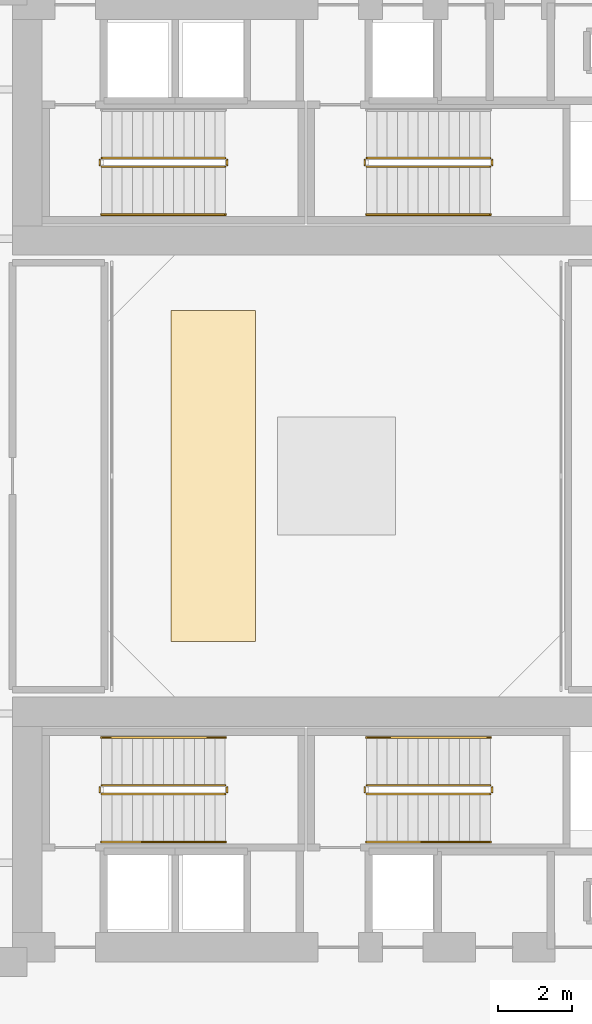
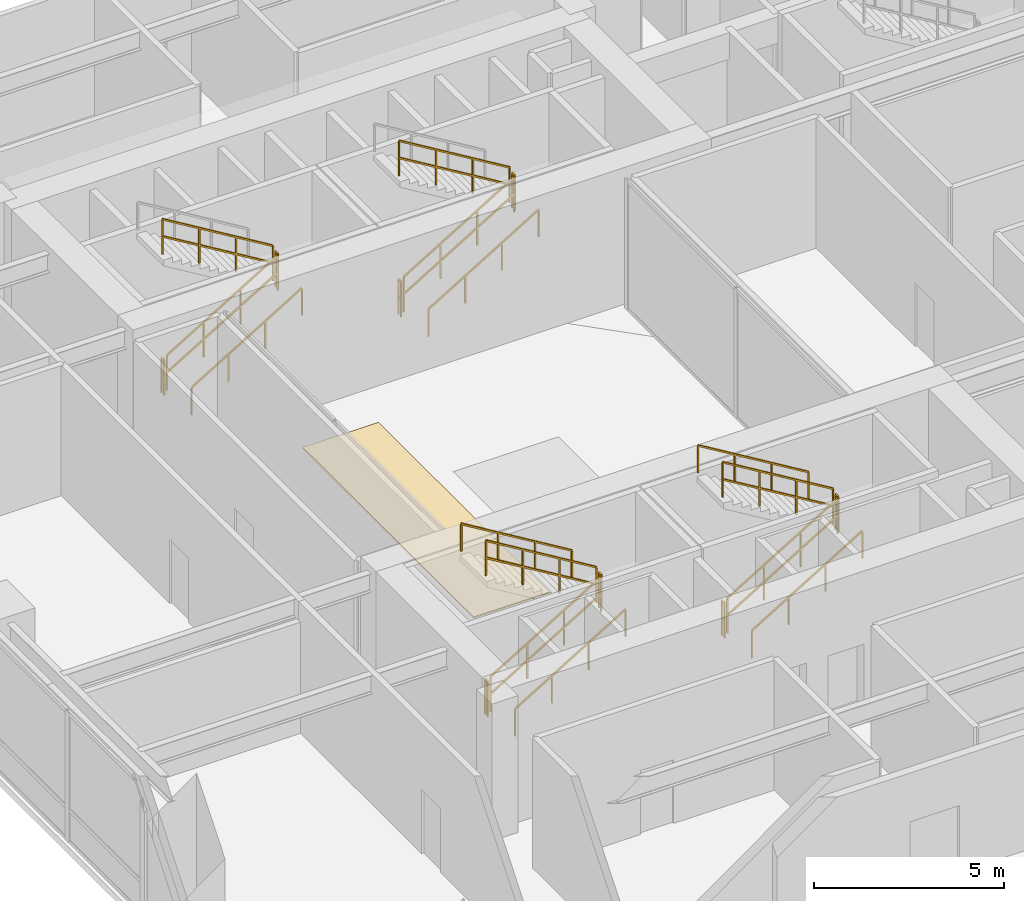
# One storey, part 16 of 19: 22 railings, 1 covering.
"""IFC4 building model written with IfcOpenShell, lengths in metres."""

from ifc_helpers import new_model, si_unit, direction, frame, origin, origin_2d, place, context, subcontext, project, spatial, polyline, rectangle, outline, extrude, material, layer, layer_set, type_object, element, save


model = new_model("IFC4")

# Units and contexts
model_context = context("Model", 3, precision=1e-05, world=origin(), true_north=direction((0.0, 1.0)))
body_context = subcontext(model_context, "Body", "Model", "MODEL_VIEW")
ifc_project = project(units=[si_unit("LENGTHUNIT", "METRE"), si_unit("AREAUNIT", "SQUARE_METRE"), si_unit("VOLUMEUNIT", "CUBIC_METRE"), si_unit("PLANEANGLEUNIT", "RADIAN"), si_unit("MASSUNIT", "GRAM", prefix="KILO"), si_unit("THERMODYNAMICTEMPERATUREUNIT", "KELVIN"), si_unit("POWERUNIT", "WATT")], contexts=[model_context])

# Site, building, storey
site_placement = place(None, origin())
site = spatial("IfcSite", under=ifc_project, at=site_placement, CompositionType="ELEMENT")
building_placement = place(site_placement, origin())
building = spatial("IfcBuilding", under=site, at=building_placement, Name="Qiaomeng Ring Towers", CompositionType="ELEMENT")
storey_placement = place(building_placement, frame((0.0, 0.0, 5.0)))
storey = spatial("IfcBuildingStorey", under=building, at=storey_placement, Name="L01", CompositionType="ELEMENT", Elevation=5.0)

# Covering
ifc_material_1 = material(Name="EPDM waterproofing membrane and XPS insulation", Category="membrane")
ifc_layer = layer(ifc_material_1, 0.0400390625, Name="EPDM waterproofing membrane and XPS insulation")
ifc_layer_set = layer_set([ifc_layer], Name="EPDM waterproofing membrane and XPS insulation")
covering_type = type_object("IfcCoveringType", Name="ARC-COV-ROOF", PredefinedType="ROOFING", material=ifc_layer_set)
covering_placement = place(storey_placement, origin())
element("IfcCovering", 1, at=covering_placement, inside=storey, type_object=covering_type, Name="Atrium T1 Roof Membrane", PredefinedType="ROOFING", context=body_context, shape_type="SweptSolid", body=[
    extrude(outline(polyline([(14.5, 18.5), (16.800048828125, 18.5), (16.800048828125, 27.5), (14.5, 27.5), (14.5, 18.5)])), origin(), (0.0, 0.0, 1.0), 0.0400390625),
])

# Railings
ifc_material_2 = material(Name="Galvanised steel", Category="steel")
railing_type_1 = type_object("IfcRailingType", Name="ARC-RL-GUARD", PredefinedType="GUARDRAIL", material=ifc_material_2)
railing_1_placement = place(storey_placement, frame((12.6201171875, 31.39990234375, 0.169189453125)))
element("IfcRailing", 2, at=railing_1_placement, inside=storey, type_object=railing_type_1, Name="L01 ST1 stair guard 1", PredefinedType="GUARDRAIL", context=body_context, shape_type="SweptSolid", body=[
    extrude(rectangle(XDim=0.048095703125, YDim=0.048095703125, at=origin_2d()), frame((0.0, 0.0, 1.1259765625), z_axis=(0.855820338506, 0.0, 0.51727318527), x_axis=(0.0, 1.0, 0.0)), (0.0, 0.0, 1.0), 3.92578125),
    extrude(rectangle(XDim=0.048095703125, YDim=0.048095703125, at=origin_2d()), frame((0.0, 0.0, 0.574951171875), z_axis=(0.855820338506, 0.0, 0.51727318527), x_axis=(0.0, 1.0, 0.0)), (0.0, 0.0, 1.0), 3.92578125),
    extrude(rectangle(XDim=0.0419921875, YDim=0.0419921875, at=origin_2d()), origin(), (0.0, 0.0, 1.0), 1.101806640625),
    extrude(rectangle(XDim=0.0419921875, YDim=0.0419921875, at=origin_2d()), frame((1.119873046875, 0.0, 0.677001953125)), (0.0, 0.0, 1.0), 1.101806640625),
    extrude(rectangle(XDim=0.0419921875, YDim=0.0419921875, at=origin_2d()), frame((2.239990234375, 0.0, 1.353759765625)), (0.0, 0.0, 1.0), 1.101806640625),
    extrude(rectangle(XDim=0.0419921875, YDim=0.0419921875, at=origin_2d()), frame((3.35986328125, 0.0, 2.03076171875)), (0.0, 0.0, 1.0), 1.101806640625),
])
railing_2_placement = place(storey_placement, frame((16.030029296875, 31.449951171875, 2.199951171875)))
element("IfcRailing", 3, at=railing_2_placement, inside=storey, type_object=railing_type_1, Name="L01 ST1 stair guard 2", PredefinedType="GUARDRAIL", context=body_context, shape_type="SweptSolid", body=[
    extrude(rectangle(XDim=0.048095703125, YDim=0.048095703125, at=origin_2d()), frame((0.0, 0.0, 1.1259765625), z_axis=(0.0, 1.0, 0.0), x_axis=(-1.0, 0.0, 0.0)), (0.0, 0.0, 1.0), 0.14013671875),
    extrude(rectangle(XDim=0.048095703125, YDim=0.048095703125, at=origin_2d()), frame((0.0, 0.0, 0.574951171875), z_axis=(0.0, 1.0, 0.0), x_axis=(-1.0, 0.0, 0.0)), (0.0, 0.0, 1.0), 0.14013671875),
    extrude(rectangle(XDim=0.0419921875, YDim=0.0419921875, at=origin_2d()), origin(), (0.0, 0.0, 1.0), 1.101806640625),
    extrude(rectangle(XDim=0.0419921875, YDim=0.0419921875, at=origin_2d()), frame((0.0, 0.14013671875, 0.0)), (0.0, 0.0, 1.0), 1.101806640625),
])
railing_3_placement = place(storey_placement, frame((15.97998046875, 31.639892578125, 2.369140625)))
element("IfcRailing", 4, at=railing_3_placement, inside=storey, type_object=railing_type_1, Name="L01 ST1 stair guard 3", PredefinedType="GUARDRAIL", context=body_context, shape_type="SweptSolid", body=[
    extrude(rectangle(XDim=0.048095703125, YDim=0.048095703125, at=origin_2d()), frame((0.0, 0.0, 1.1259765625), z_axis=(-0.855820338506, 0.0, 0.51727318527), x_axis=(0.0, -1.0, 0.0)), (0.0, 0.0, 1.0), 3.92578125),
    extrude(rectangle(XDim=0.048095703125, YDim=0.048095703125, at=origin_2d()), frame((0.0, 0.0, 0.574951171875), z_axis=(-0.855820338506, 0.0, 0.51727318527), x_axis=(0.0, -1.0, 0.0)), (0.0, 0.0, 1.0), 3.92578125),
    extrude(rectangle(XDim=0.0419921875, YDim=0.0419921875, at=origin_2d()), origin(), (0.0, 0.0, 1.0), 1.101806640625),
    extrude(rectangle(XDim=0.0419921875, YDim=0.0419921875, at=origin_2d()), frame((-1.119873046875, 0.0, 0.677001953125)), (0.0, 0.0, 1.0), 1.101806640625),
    extrude(rectangle(XDim=0.0419921875, YDim=0.0419921875, at=origin_2d()), frame((-2.239990234375, 0.0, 1.353759765625)), (0.0, 0.0, 1.0), 1.101806640625),
    extrude(rectangle(XDim=0.0419921875, YDim=0.0419921875, at=origin_2d()), frame((-3.35986328125, 0.0, 2.03076171875)), (0.0, 0.0, 1.0), 1.101806640625),
])
railing_4_placement = place(storey_placement, frame((12.570068359375, 31.449951171875, 0.0)))
element("IfcRailing", 5, at=railing_4_placement, inside=storey, type_object=railing_type_1, Name="L01 ST1 stair guard 4", PredefinedType="GUARDRAIL", context=body_context, shape_type="SweptSolid", body=[
    extrude(rectangle(XDim=0.048095703125, YDim=0.048095703125, at=origin_2d()), frame((0.0, 0.0, 1.1259765625), z_axis=(0.0, 1.0, 0.0), x_axis=(-1.0, 0.0, 0.0)), (0.0, 0.0, 1.0), 0.14013671875),
    extrude(rectangle(XDim=0.048095703125, YDim=0.048095703125, at=origin_2d()), frame((0.0, 0.0, 0.574951171875), z_axis=(0.0, 1.0, 0.0), x_axis=(-1.0, 0.0, 0.0)), (0.0, 0.0, 1.0), 0.14013671875),
    extrude(rectangle(XDim=0.0419921875, YDim=0.0419921875, at=origin_2d()), origin(), (0.0, 0.0, 1.0), 1.101806640625),
    extrude(rectangle(XDim=0.0419921875, YDim=0.0419921875, at=origin_2d()), frame((0.0, 0.14013671875, 0.0)), (0.0, 0.0, 1.0), 1.101806640625),
])
railing_5_placement = place(storey_placement, frame((19.820068359375, 31.39990234375, 0.169189453125)))
element("IfcRailing", 6, at=railing_5_placement, inside=storey, type_object=railing_type_1, Name="L01 ST2 stair guard 1", PredefinedType="GUARDRAIL", context=body_context, shape_type="SweptSolid", body=[
    extrude(rectangle(XDim=0.048095703125, YDim=0.048095703125, at=origin_2d()), frame((0.0, 0.0, 1.1259765625), z_axis=(0.855820338506, 0.0, 0.51727318527), x_axis=(0.0, 1.0, 0.0)), (0.0, 0.0, 1.0), 3.92578125),
    extrude(rectangle(XDim=0.048095703125, YDim=0.048095703125, at=origin_2d()), frame((0.0, 0.0, 0.574951171875), z_axis=(0.855820338506, 0.0, 0.51727318527), x_axis=(0.0, 1.0, 0.0)), (0.0, 0.0, 1.0), 3.92578125),
    extrude(rectangle(XDim=0.0419921875, YDim=0.0419921875, at=origin_2d()), origin(), (0.0, 0.0, 1.0), 1.101806640625),
    extrude(rectangle(XDim=0.0419921875, YDim=0.0419921875, at=origin_2d()), frame((1.119873046875, 0.0, 0.677001953125)), (0.0, 0.0, 1.0), 1.101806640625),
    extrude(rectangle(XDim=0.0419921875, YDim=0.0419921875, at=origin_2d()), frame((2.239990234375, 0.0, 1.353759765625)), (0.0, 0.0, 1.0), 1.101806640625),
    extrude(rectangle(XDim=0.0419921875, YDim=0.0419921875, at=origin_2d()), frame((3.35986328125, 0.0, 2.03076171875)), (0.0, 0.0, 1.0), 1.101806640625),
])
railing_6_placement = place(storey_placement, frame((23.22998046875, 31.449951171875, 2.199951171875)))
element("IfcRailing", 7, at=railing_6_placement, inside=storey, type_object=railing_type_1, Name="L01 ST2 stair guard 2", PredefinedType="GUARDRAIL", context=body_context, shape_type="SweptSolid", body=[
    extrude(rectangle(XDim=0.048095703125, YDim=0.048095703125, at=origin_2d()), frame((0.0, 0.0, 1.1259765625), z_axis=(0.0, 1.0, 0.0), x_axis=(-1.0, 0.0, 0.0)), (0.0, 0.0, 1.0), 0.14013671875),
    extrude(rectangle(XDim=0.048095703125, YDim=0.048095703125, at=origin_2d()), frame((0.0, 0.0, 0.574951171875), z_axis=(0.0, 1.0, 0.0), x_axis=(-1.0, 0.0, 0.0)), (0.0, 0.0, 1.0), 0.14013671875),
    extrude(rectangle(XDim=0.0419921875, YDim=0.0419921875, at=origin_2d()), origin(), (0.0, 0.0, 1.0), 1.101806640625),
    extrude(rectangle(XDim=0.0419921875, YDim=0.0419921875, at=origin_2d()), frame((0.0, 0.14013671875, 0.0)), (0.0, 0.0, 1.0), 1.101806640625),
])
railing_7_placement = place(storey_placement, frame((23.179931640625, 31.639892578125, 2.369140625)))
element("IfcRailing", 8, at=railing_7_placement, inside=storey, type_object=railing_type_1, Name="L01 ST2 stair guard 3", PredefinedType="GUARDRAIL", context=body_context, shape_type="SweptSolid", body=[
    extrude(rectangle(XDim=0.048095703125, YDim=0.048095703125, at=origin_2d()), frame((0.0, 0.0, 1.1259765625), z_axis=(-0.855820338506, 0.0, 0.51727318527), x_axis=(0.0, -1.0, 0.0)), (0.0, 0.0, 1.0), 3.92578125),
    extrude(rectangle(XDim=0.048095703125, YDim=0.048095703125, at=origin_2d()), frame((0.0, 0.0, 0.574951171875), z_axis=(-0.855820338506, 0.0, 0.51727318527), x_axis=(0.0, -1.0, 0.0)), (0.0, 0.0, 1.0), 3.92578125),
    extrude(rectangle(XDim=0.0419921875, YDim=0.0419921875, at=origin_2d()), origin(), (0.0, 0.0, 1.0), 1.101806640625),
    extrude(rectangle(XDim=0.0419921875, YDim=0.0419921875, at=origin_2d()), frame((-1.119873046875, 0.0, 0.677001953125)), (0.0, 0.0, 1.0), 1.101806640625),
    extrude(rectangle(XDim=0.0419921875, YDim=0.0419921875, at=origin_2d()), frame((-2.239990234375, 0.0, 1.353759765625)), (0.0, 0.0, 1.0), 1.101806640625),
    extrude(rectangle(XDim=0.0419921875, YDim=0.0419921875, at=origin_2d()), frame((-3.35986328125, 0.0, 2.03076171875)), (0.0, 0.0, 1.0), 1.101806640625),
])
railing_8_placement = place(storey_placement, frame((19.77001953125, 31.449951171875, 0.0)))
element("IfcRailing", 9, at=railing_8_placement, inside=storey, type_object=railing_type_1, Name="L01 ST2 stair guard 4", PredefinedType="GUARDRAIL", context=body_context, shape_type="SweptSolid", body=[
    extrude(rectangle(XDim=0.048095703125, YDim=0.048095703125, at=origin_2d()), frame((0.0, 0.0, 1.1259765625), z_axis=(0.0, 1.0, 0.0), x_axis=(-1.0, 0.0, 0.0)), (0.0, 0.0, 1.0), 0.14013671875),
    extrude(rectangle(XDim=0.048095703125, YDim=0.048095703125, at=origin_2d()), frame((0.0, 0.0, 0.574951171875), z_axis=(0.0, 1.0, 0.0), x_axis=(-1.0, 0.0, 0.0)), (0.0, 0.0, 1.0), 0.14013671875),
    extrude(rectangle(XDim=0.0419921875, YDim=0.0419921875, at=origin_2d()), origin(), (0.0, 0.0, 1.0), 1.101806640625),
    extrude(rectangle(XDim=0.0419921875, YDim=0.0419921875, at=origin_2d()), frame((0.0, 0.14013671875, 0.0)), (0.0, 0.0, 1.0), 1.101806640625),
])
railing_9_placement = place(storey_placement, frame((12.6201171875, 14.360107421875, 0.169189453125)))
element("IfcRailing", 10, at=railing_9_placement, inside=storey, type_object=railing_type_1, Name="L01 ST3 stair guard 1", PredefinedType="GUARDRAIL", context=body_context, shape_type="SweptSolid", body=[
    extrude(rectangle(XDim=0.048095703125, YDim=0.048095703125, at=origin_2d()), frame((0.0, 0.0, 1.1259765625), z_axis=(0.855820338506, 0.0, 0.51727318527), x_axis=(0.0, 1.0, 0.0)), (0.0, 0.0, 1.0), 3.92578125),
    extrude(rectangle(XDim=0.048095703125, YDim=0.048095703125, at=origin_2d()), frame((0.0, 0.0, 0.574951171875), z_axis=(0.855820338506, 0.0, 0.51727318527), x_axis=(0.0, 1.0, 0.0)), (0.0, 0.0, 1.0), 3.92578125),
    extrude(rectangle(XDim=0.0419921875, YDim=0.0419921875, at=origin_2d()), origin(), (0.0, 0.0, 1.0), 1.101806640625),
    extrude(rectangle(XDim=0.0419921875, YDim=0.0419921875, at=origin_2d()), frame((1.119873046875, 0.0, 0.677001953125)), (0.0, 0.0, 1.0), 1.101806640625),
    extrude(rectangle(XDim=0.0419921875, YDim=0.0419921875, at=origin_2d()), frame((2.239990234375, 0.0, 1.353759765625)), (0.0, 0.0, 1.0), 1.101806640625),
    extrude(rectangle(XDim=0.0419921875, YDim=0.0419921875, at=origin_2d()), frame((3.35986328125, 0.0, 2.03076171875)), (0.0, 0.0, 1.0), 1.101806640625),
])
railing_10_placement = place(storey_placement, frame((16.030029296875, 14.409912109375, 2.199951171875)))
element("IfcRailing", 11, at=railing_10_placement, inside=storey, type_object=railing_type_1, Name="L01 ST3 stair guard 2", PredefinedType="GUARDRAIL", context=body_context, shape_type="SweptSolid", body=[
    extrude(rectangle(XDim=0.048095703125, YDim=0.048095703125, at=origin_2d()), frame((0.0, 0.0, 1.1259765625), z_axis=(0.0, 1.0, 0.0), x_axis=(-1.0, 0.0, 0.0)), (0.0, 0.0, 1.0), 0.14013671875),
    extrude(rectangle(XDim=0.048095703125, YDim=0.048095703125, at=origin_2d()), frame((0.0, 0.0, 0.574951171875), z_axis=(0.0, 1.0, 0.0), x_axis=(-1.0, 0.0, 0.0)), (0.0, 0.0, 1.0), 0.14013671875),
    extrude(rectangle(XDim=0.0419921875, YDim=0.0419921875, at=origin_2d()), origin(), (0.0, 0.0, 1.0), 1.101806640625),
    extrude(rectangle(XDim=0.0419921875, YDim=0.0419921875, at=origin_2d()), frame((0.0, 0.14013671875, 0.0)), (0.0, 0.0, 1.0), 1.101806640625),
])
railing_11_placement = place(storey_placement, frame((15.97998046875, 14.60009765625, 2.369140625)))
element("IfcRailing", 12, at=railing_11_placement, inside=storey, type_object=railing_type_1, Name="L01 ST3 stair guard 3", PredefinedType="GUARDRAIL", context=body_context, shape_type="SweptSolid", body=[
    extrude(rectangle(XDim=0.048095703125, YDim=0.048095703125, at=origin_2d()), frame((0.0, 0.0, 1.1259765625), z_axis=(-0.855820338506, 0.0, 0.51727318527), x_axis=(0.0, -1.0, 0.0)), (0.0, 0.0, 1.0), 3.92578125),
    extrude(rectangle(XDim=0.048095703125, YDim=0.048095703125, at=origin_2d()), frame((0.0, 0.0, 0.574951171875), z_axis=(-0.855820338506, 0.0, 0.51727318527), x_axis=(0.0, -1.0, 0.0)), (0.0, 0.0, 1.0), 3.92578125),
    extrude(rectangle(XDim=0.0419921875, YDim=0.0419921875, at=origin_2d()), origin(), (0.0, 0.0, 1.0), 1.101806640625),
    extrude(rectangle(XDim=0.0419921875, YDim=0.0419921875, at=origin_2d()), frame((-1.119873046875, 0.0, 0.677001953125)), (0.0, 0.0, 1.0), 1.101806640625),
    extrude(rectangle(XDim=0.0419921875, YDim=0.0419921875, at=origin_2d()), frame((-2.239990234375, 0.0, 1.353759765625)), (0.0, 0.0, 1.0), 1.101806640625),
    extrude(rectangle(XDim=0.0419921875, YDim=0.0419921875, at=origin_2d()), frame((-3.35986328125, 0.0, 2.03076171875)), (0.0, 0.0, 1.0), 1.101806640625),
])
railing_12_placement = place(storey_placement, frame((12.570068359375, 14.409912109375, 0.0)))
element("IfcRailing", 13, at=railing_12_placement, inside=storey, type_object=railing_type_1, Name="L01 ST3 stair guard 4", PredefinedType="GUARDRAIL", context=body_context, shape_type="SweptSolid", body=[
    extrude(rectangle(XDim=0.048095703125, YDim=0.048095703125, at=origin_2d()), frame((0.0, 0.0, 1.1259765625), z_axis=(0.0, 1.0, 0.0), x_axis=(-1.0, 0.0, 0.0)), (0.0, 0.0, 1.0), 0.14013671875),
    extrude(rectangle(XDim=0.048095703125, YDim=0.048095703125, at=origin_2d()), frame((0.0, 0.0, 0.574951171875), z_axis=(0.0, 1.0, 0.0), x_axis=(-1.0, 0.0, 0.0)), (0.0, 0.0, 1.0), 0.14013671875),
    extrude(rectangle(XDim=0.0419921875, YDim=0.0419921875, at=origin_2d()), origin(), (0.0, 0.0, 1.0), 1.101806640625),
    extrude(rectangle(XDim=0.0419921875, YDim=0.0419921875, at=origin_2d()), frame((0.0, 0.14013671875, 0.0)), (0.0, 0.0, 1.0), 1.101806640625),
])
railing_13_placement = place(storey_placement, frame((19.820068359375, 14.360107421875, 0.169189453125)))
element("IfcRailing", 14, at=railing_13_placement, inside=storey, type_object=railing_type_1, Name="L01 ST4 stair guard 1", PredefinedType="GUARDRAIL", context=body_context, shape_type="SweptSolid", body=[
    extrude(rectangle(XDim=0.048095703125, YDim=0.048095703125, at=origin_2d()), frame((0.0, 0.0, 1.1259765625), z_axis=(0.855820338506, 0.0, 0.51727318527), x_axis=(0.0, 1.0, 0.0)), (0.0, 0.0, 1.0), 3.92578125),
    extrude(rectangle(XDim=0.048095703125, YDim=0.048095703125, at=origin_2d()), frame((0.0, 0.0, 0.574951171875), z_axis=(0.855820338506, 0.0, 0.51727318527), x_axis=(0.0, 1.0, 0.0)), (0.0, 0.0, 1.0), 3.92578125),
    extrude(rectangle(XDim=0.0419921875, YDim=0.0419921875, at=origin_2d()), origin(), (0.0, 0.0, 1.0), 1.101806640625),
    extrude(rectangle(XDim=0.0419921875, YDim=0.0419921875, at=origin_2d()), frame((1.119873046875, 0.0, 0.677001953125)), (0.0, 0.0, 1.0), 1.101806640625),
    extrude(rectangle(XDim=0.0419921875, YDim=0.0419921875, at=origin_2d()), frame((2.239990234375, 0.0, 1.353759765625)), (0.0, 0.0, 1.0), 1.101806640625),
    extrude(rectangle(XDim=0.0419921875, YDim=0.0419921875, at=origin_2d()), frame((3.35986328125, 0.0, 2.03076171875)), (0.0, 0.0, 1.0), 1.101806640625),
])
railing_14_placement = place(storey_placement, frame((23.22998046875, 14.409912109375, 2.199951171875)))
element("IfcRailing", 15, at=railing_14_placement, inside=storey, type_object=railing_type_1, Name="L01 ST4 stair guard 2", PredefinedType="GUARDRAIL", context=body_context, shape_type="SweptSolid", body=[
    extrude(rectangle(XDim=0.048095703125, YDim=0.048095703125, at=origin_2d()), frame((0.0, 0.0, 1.1259765625), z_axis=(0.0, 1.0, 0.0), x_axis=(-1.0, 0.0, 0.0)), (0.0, 0.0, 1.0), 0.14013671875),
    extrude(rectangle(XDim=0.048095703125, YDim=0.048095703125, at=origin_2d()), frame((0.0, 0.0, 0.574951171875), z_axis=(0.0, 1.0, 0.0), x_axis=(-1.0, 0.0, 0.0)), (0.0, 0.0, 1.0), 0.14013671875),
    extrude(rectangle(XDim=0.0419921875, YDim=0.0419921875, at=origin_2d()), origin(), (0.0, 0.0, 1.0), 1.101806640625),
    extrude(rectangle(XDim=0.0419921875, YDim=0.0419921875, at=origin_2d()), frame((0.0, 0.14013671875, 0.0)), (0.0, 0.0, 1.0), 1.101806640625),
])
railing_15_placement = place(storey_placement, frame((23.179931640625, 14.60009765625, 2.369140625)))
element("IfcRailing", 16, at=railing_15_placement, inside=storey, type_object=railing_type_1, Name="L01 ST4 stair guard 3", PredefinedType="GUARDRAIL", context=body_context, shape_type="SweptSolid", body=[
    extrude(rectangle(XDim=0.048095703125, YDim=0.048095703125, at=origin_2d()), frame((0.0, 0.0, 1.1259765625), z_axis=(-0.855820338506, 0.0, 0.51727318527), x_axis=(0.0, -1.0, 0.0)), (0.0, 0.0, 1.0), 3.92578125),
    extrude(rectangle(XDim=0.048095703125, YDim=0.048095703125, at=origin_2d()), frame((0.0, 0.0, 0.574951171875), z_axis=(-0.855820338506, 0.0, 0.51727318527), x_axis=(0.0, -1.0, 0.0)), (0.0, 0.0, 1.0), 3.92578125),
    extrude(rectangle(XDim=0.0419921875, YDim=0.0419921875, at=origin_2d()), origin(), (0.0, 0.0, 1.0), 1.101806640625),
    extrude(rectangle(XDim=0.0419921875, YDim=0.0419921875, at=origin_2d()), frame((-1.119873046875, 0.0, 0.677001953125)), (0.0, 0.0, 1.0), 1.101806640625),
    extrude(rectangle(XDim=0.0419921875, YDim=0.0419921875, at=origin_2d()), frame((-2.239990234375, 0.0, 1.353759765625)), (0.0, 0.0, 1.0), 1.101806640625),
    extrude(rectangle(XDim=0.0419921875, YDim=0.0419921875, at=origin_2d()), frame((-3.35986328125, 0.0, 2.03076171875)), (0.0, 0.0, 1.0), 1.101806640625),
])
railing_16_placement = place(storey_placement, frame((19.77001953125, 14.409912109375, 0.0)))
element("IfcRailing", 17, at=railing_16_placement, inside=storey, type_object=railing_type_1, Name="L01 ST4 stair guard 4", PredefinedType="GUARDRAIL", context=body_context, shape_type="SweptSolid", body=[
    extrude(rectangle(XDim=0.048095703125, YDim=0.048095703125, at=origin_2d()), frame((0.0, 0.0, 1.1259765625), z_axis=(0.0, 1.0, 0.0), x_axis=(-1.0, 0.0, 0.0)), (0.0, 0.0, 1.0), 0.14013671875),
    extrude(rectangle(XDim=0.048095703125, YDim=0.048095703125, at=origin_2d()), frame((0.0, 0.0, 0.574951171875), z_axis=(0.0, 1.0, 0.0), x_axis=(-1.0, 0.0, 0.0)), (0.0, 0.0, 1.0), 0.14013671875),
    extrude(rectangle(XDim=0.0419921875, YDim=0.0419921875, at=origin_2d()), origin(), (0.0, 0.0, 1.0), 1.101806640625),
    extrude(rectangle(XDim=0.0419921875, YDim=0.0419921875, at=origin_2d()), frame((0.0, 0.14013671875, 0.0)), (0.0, 0.0, 1.0), 1.101806640625),
])
ifc_material_3 = material(Name="Stainless steel 316", Category="steel")
railing_type_2 = type_object("IfcRailingType", Name="ARC-RL-HAND", PredefinedType="HANDRAIL", material=ifc_material_3)
for number, where, name in (
    (18, (12.6201171875, 30.10009765625, 0.169189453125), "L01 ST1 stair handrail 1"),
    (19, (19.820068359375, 30.10009765625, 0.169189453125), "L01 ST2 stair handrail 1"),
    (20, (12.6201171875, 13.06005859375, 0.169189453125), "L01 ST3 stair handrail 1"),
):
    element("IfcRailing", number, at=place(storey_placement, frame(where)), inside=storey, type_object=railing_type_2, Name=name, PredefinedType="HANDRAIL", context=body_context, shape_type="SweptSolid", body=[
        extrude(rectangle(XDim=0.048095703125, YDim=0.048095703125, at=origin_2d()), frame((0.0, 0.0, 0.8759765625), z_axis=(0.855820338506, 0.0, 0.51727318527), x_axis=(0.0, 1.0, 0.0)), (0.0, 0.0, 1.0), 3.92578125),
        extrude(rectangle(XDim=0.0419921875, YDim=0.0419921875, at=origin_2d()), origin(), (0.0, 0.0, 1.0), 0.851806640625),
        extrude(rectangle(XDim=0.0419921875, YDim=0.0419921875, at=origin_2d()), frame((1.119873046875, 0.0, 0.677001953125)), (0.0, 0.0, 1.0), 0.851806640625),
        extrude(rectangle(XDim=0.0419921875, YDim=0.0419921875, at=origin_2d()), frame((2.239990234375, 0.0, 1.353759765625)), (0.0, 0.0, 1.0), 0.851806640625),
        extrude(rectangle(XDim=0.0419921875, YDim=0.0419921875, at=origin_2d()), frame((3.35986328125, 0.0, 2.03076171875)), (0.0, 0.0, 1.0), 0.851806640625),
    ])
railing_17_placement = place(storey_placement, frame((15.97998046875, 15.89990234375, 2.369140625)))
element("IfcRailing", 21, at=railing_17_placement, inside=storey, type_object=railing_type_2, Name="L01 ST3 stair handrail 2", PredefinedType="HANDRAIL", context=body_context, shape_type="SweptSolid", body=[
    extrude(rectangle(XDim=0.048095703125, YDim=0.048095703125, at=origin_2d()), frame((0.0, 0.0, 0.8759765625), z_axis=(-0.855820338506, 0.0, 0.51727318527), x_axis=(0.0, -1.0, 0.0)), (0.0, 0.0, 1.0), 3.92578125),
    extrude(rectangle(XDim=0.0419921875, YDim=0.0419921875, at=origin_2d()), origin(), (0.0, 0.0, 1.0), 0.851806640625),
    extrude(rectangle(XDim=0.0419921875, YDim=0.0419921875, at=origin_2d()), frame((-1.119873046875, 0.0, 0.677001953125)), (0.0, 0.0, 1.0), 0.851806640625),
    extrude(rectangle(XDim=0.0419921875, YDim=0.0419921875, at=origin_2d()), frame((-2.239990234375, 0.0, 1.353759765625)), (0.0, 0.0, 1.0), 0.851806640625),
    extrude(rectangle(XDim=0.0419921875, YDim=0.0419921875, at=origin_2d()), frame((-3.35986328125, 0.0, 2.03076171875)), (0.0, 0.0, 1.0), 0.851806640625),
])
railing_18_placement = place(storey_placement, frame((19.820068359375, 13.06005859375, 0.169189453125)))
element("IfcRailing", 22, at=railing_18_placement, inside=storey, type_object=railing_type_2, Name="L01 ST4 stair handrail 1", PredefinedType="HANDRAIL", context=body_context, shape_type="SweptSolid", body=[
    extrude(rectangle(XDim=0.048095703125, YDim=0.048095703125, at=origin_2d()), frame((0.0, 0.0, 0.8759765625), z_axis=(0.855820338506, 0.0, 0.51727318527), x_axis=(0.0, 1.0, 0.0)), (0.0, 0.0, 1.0), 3.92578125),
    extrude(rectangle(XDim=0.0419921875, YDim=0.0419921875, at=origin_2d()), origin(), (0.0, 0.0, 1.0), 0.851806640625),
    extrude(rectangle(XDim=0.0419921875, YDim=0.0419921875, at=origin_2d()), frame((1.119873046875, 0.0, 0.677001953125)), (0.0, 0.0, 1.0), 0.851806640625),
    extrude(rectangle(XDim=0.0419921875, YDim=0.0419921875, at=origin_2d()), frame((2.239990234375, 0.0, 1.353759765625)), (0.0, 0.0, 1.0), 0.851806640625),
    extrude(rectangle(XDim=0.0419921875, YDim=0.0419921875, at=origin_2d()), frame((3.35986328125, 0.0, 2.03076171875)), (0.0, 0.0, 1.0), 0.851806640625),
])
railing_19_placement = place(storey_placement, frame((23.179931640625, 15.89990234375, 2.369140625)))
element("IfcRailing", 23, at=railing_19_placement, inside=storey, type_object=railing_type_2, Name="L01 ST4 stair handrail 2", PredefinedType="HANDRAIL", context=body_context, shape_type="SweptSolid", body=[
    extrude(rectangle(XDim=0.048095703125, YDim=0.048095703125, at=origin_2d()), frame((0.0, 0.0, 0.8759765625), z_axis=(-0.855820338506, 0.0, 0.51727318527), x_axis=(0.0, -1.0, 0.0)), (0.0, 0.0, 1.0), 3.92578125),
    extrude(rectangle(XDim=0.0419921875, YDim=0.0419921875, at=origin_2d()), origin(), (0.0, 0.0, 1.0), 0.851806640625),
    extrude(rectangle(XDim=0.0419921875, YDim=0.0419921875, at=origin_2d()), frame((-1.119873046875, 0.0, 0.677001953125)), (0.0, 0.0, 1.0), 0.851806640625),
    extrude(rectangle(XDim=0.0419921875, YDim=0.0419921875, at=origin_2d()), frame((-2.239990234375, 0.0, 1.353759765625)), (0.0, 0.0, 1.0), 0.851806640625),
    extrude(rectangle(XDim=0.0419921875, YDim=0.0419921875, at=origin_2d()), frame((-3.35986328125, 0.0, 2.03076171875)), (0.0, 0.0, 1.0), 0.851806640625),
])

save(model, "model.ifc")
